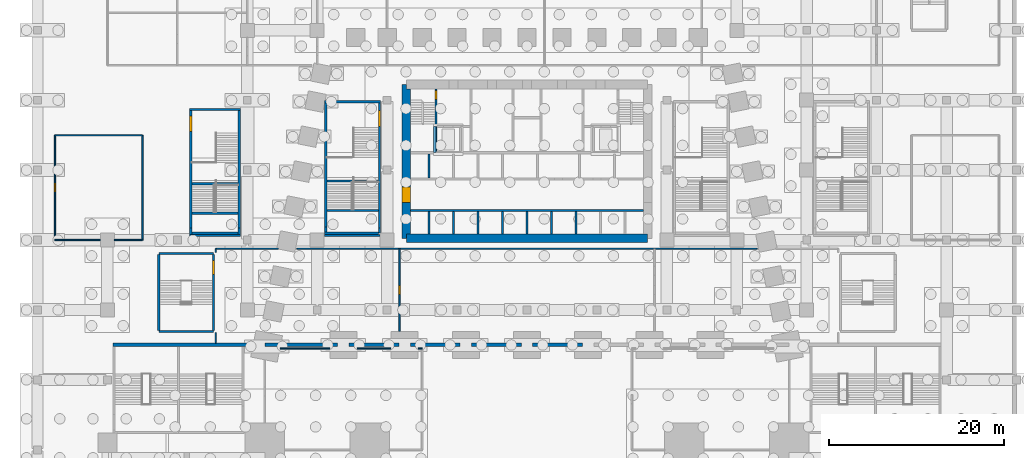
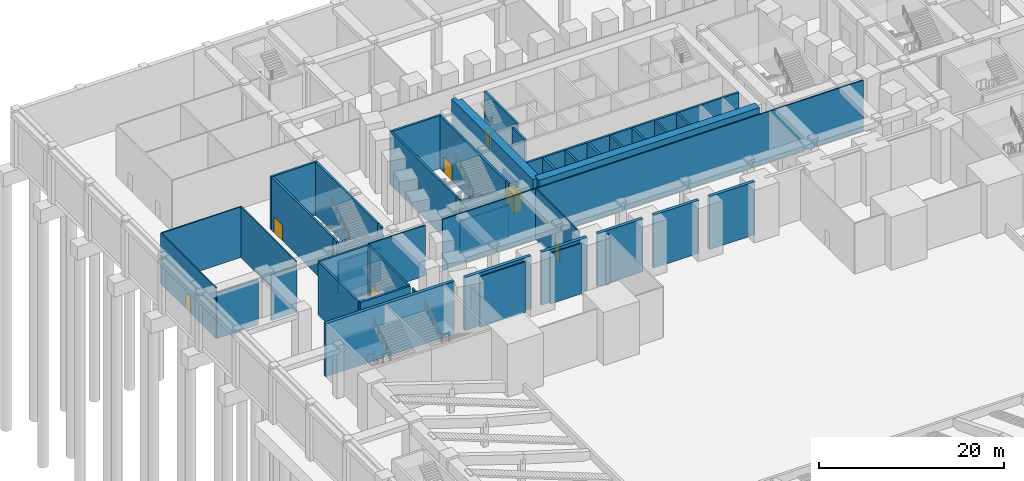
# One storey, part 10 of 30: 54 walls, 7 doors, 7 openings.
"""IFC4 building model written with IfcOpenShell, lengths in metres."""

from ifc_helpers import new_model, si_unit, direction, frame, frame_2d, origin, place, context, subcontext, project, spatial, polyline, rectangle, outline, extrude, material, layer, layer_set, type_object, element, fill, save


model = new_model("IFC4")

# Units and contexts
model_context = context("Model", 3, precision=1e-05, world=origin(), true_north=direction((0.0, 1.0)))
body_context = subcontext(model_context, "Body", "Model", "MODEL_VIEW")
ifc_project = project(units=[si_unit("LENGTHUNIT", "METRE"), si_unit("AREAUNIT", "SQUARE_METRE"), si_unit("VOLUMEUNIT", "CUBIC_METRE"), si_unit("PLANEANGLEUNIT", "RADIAN"), si_unit("MASSUNIT", "GRAM", prefix="KILO")], contexts=[model_context])

# Site, building, storey
site_placement = place(None, origin())
site = spatial("IfcSite", under=ifc_project, at=site_placement, CompositionType="ELEMENT")
building_placement = place(site_placement, origin())
building = spatial("IfcBuilding", under=site, at=building_placement, Name="Isbrekke Arena Tower", CompositionType="ELEMENT")
storey_placement = place(building_placement, frame((0.0, 0.0, -7.0)))
storey = spatial("IfcBuildingStorey", under=building, at=storey_placement, Name="B1", CompositionType="ELEMENT", Elevation=-7.0)

# Walls
ifc_material_1 = material(Name="Concrete B45 (C45/55)", Category="concrete")
ifc_layer_1 = layer(ifc_material_1, 0.39990234375)
ifc_layer_set_1 = layer_set([ifc_layer_1], Name="AW1 ARENA WALL 400")
wall_type_1 = type_object("IfcWallType", Name="AW1 ARENA WALL 400", PredefinedType="SHEAR", material=ifc_layer_set_1)
wall_1_placement = place(storey_placement, frame((-47.375, -6.0, 0.0), z_axis=(0.0, 0.0, 1.0), x_axis=(1.0, 0.0, 0.0)))
element("IfcWall", 1, at=wall_1_placement, inside=storey, type_object=wall_type_1, Name="Arena north wall 1", PredefinedType="SHEAR", context=body_context, shape_type="SweptSolid", body=[
    extrude(rectangle(XDim=16.125, YDim=0.39990234375, at=frame_2d((8.0625, 0.0))), origin(), (0.0, 0.0, 1.0), 7.0),
])
wall_2_placement = place(storey_placement, frame((-29.949951171875, -6.0, 0.0), z_axis=(0.0, 0.0, 1.0), x_axis=(1.0, 0.0, 0.0)))
element("IfcWall", 2, at=wall_2_placement, inside=storey, type_object=wall_type_1, Name="Arena north wall 2", PredefinedType="SHEAR", context=body_context, shape_type="SweptSolid", body=[
    extrude(rectangle(XDim=8.300048828125, YDim=0.39990234375, at=frame_2d((4.14990234375, 0.0))), origin(), (0.0, 0.0, 1.0), 7.0),
])
for number, where, z_axis, x_axis, name in (
    (3, (-20.35009765625, -6.0, 0.0), (0.0, 0.0, 1.0), (1.0, 0.0, 0.0), "Arena north wall 3"),
    (4, (-13.35009765625, -6.0, 0.0), (0.0, 0.0, 1.0), (1.0, 0.0, 0.0), "Arena north wall 4"),
    (5, (-6.35009765625, -6.0, 0.0), (0.0, 0.0, 1.0), (1.0, 0.0, 0.0), "Arena north wall 5"),
    (6, (0.64990234375, -6.0, 0.0), (0.0, 0.0, 1.0), (1.0, 0.0, 0.0), "Arena north wall 6"),
):
    element("IfcWall", number, at=place(storey_placement, frame(where, z_axis=z_axis, x_axis=x_axis)), inside=storey, type_object=wall_type_1, Name=name, PredefinedType="SHEAR", context=body_context, shape_type="SweptSolid", body=[
        extrude(rectangle(XDim=5.7001953125, YDim=0.39990234375, at=frame_2d((2.85009765625, 0.0))), origin(), (0.0, 0.0, 1.0), 7.0),
    ])
ifc_material_2 = material(Name="Concrete B65 (C65/80)", Category="concrete")
ifc_layer_2 = layer(ifc_material_2, 1.0)
ifc_layer_set_2 = layer_set([ifc_layer_2], Name="CW1 CORE WALL 1000")
wall_type_2 = type_object("IfcWallType", Name="CW1 CORE WALL 1000", PredefinedType="SHEAR", material=ifc_layer_set_2)
wall_3_placement = place(storey_placement, frame((-13.800048828125, 6.199951171875, 0.0), z_axis=(0.0, 0.0, 1.0), x_axis=(1.0, 0.0, 0.0)))
element("IfcWall", 7, at=wall_3_placement, inside=storey, type_object=wall_type_2, Name="Core wall S B1", PredefinedType="SHEAR", context=body_context, shape_type="SweptSolid", body=[
    extrude(rectangle(XDim=27.60009765625, YDim=1.0, at=frame_2d((13.800048828125, 0.0))), origin(), (0.0, 0.0, 1.0), 7.0),
])

# Wall, opening, door
wall_4_placement = place(storey_placement, frame((-13.800048828125, 23.800048828125, 0.0), z_axis=(0.0, 0.0, 1.0), x_axis=(0.0, -1.0, 0.0)))
wall_4 = element("IfcWall", 8, at=wall_4_placement, inside=storey, type_object=wall_type_2, Name="Core wall W B1", PredefinedType="SHEAR", context=body_context, shape_type="SweptSolid", body=[
    extrude(outline(polyline([(0.0, -0.5), (17.60009765625, -0.5), (17.60009765625, 0.0), (17.10009765625, 0.0), (17.10009765625, 0.5), (0.5, 0.5), (0.5, 0.0), (0.0, 0.0), (0.0, -0.5)])), origin(), (0.0, 0.0, 1.0), 7.0),
])
opening_1_placement = place(wall_4_placement, frame((11.699951171875, 0.0, 0.0)))
opening_1 = element("IfcOpeningElement", 9, at=opening_1_placement, cuts=wall_4, Name="Opening D1", PredefinedType="OPENING", context=body_context, shape_type="SweptSolid", body=[
    extrude(rectangle(XDim=1.800048828125, YDim=2.39990234375, at=frame_2d((0.89990234375, 1.199951171875))), frame((0.0, 0.514892578125, 0.0), z_axis=(0.0, -1.0, 0.0), x_axis=(1.0, 0.0, 0.0)), (0.0, 0.0, 1.0), 1.02978515625),
])
ifc_material_3 = material(Name="Steel-framed glazed fire door", Category="steel")
door_type_1 = type_object("IfcDoorType", Name="D1 CORE LOBBY DOOR 1800 x 2400", OperationType="DOUBLE_DOOR_SINGLE_SWING", PredefinedType="DOOR", material=ifc_material_3)
door_1_placement = place(opening_1_placement, origin())
door_1 = element("IfcDoor", 10, at=door_1_placement, inside=storey, type_object=door_type_1, Name="D1 lift lobby door west B1", OperationType="DOUBLE_DOOR_SINGLE_SWING", OverallHeight=2.39990234375, OverallWidth=1.800048828125, PredefinedType="DOOR", context=body_context, shape_type="SweptSolid", body=[
    extrude(rectangle(XDim=1.800048828125, YDim=2.39990234375, at=frame_2d((0.89990234375, 1.199951171875))), frame((0.0, 0.499755859375, 0.0), z_axis=(0.0, -1.0, 0.0), x_axis=(1.0, 0.0, 0.0)), (0.0, 0.0, 1.0), 0.99951171875),
])
fill(opening_1, door_1)

# Walls
ifc_material_4 = material(Name="Concrete B45 (C45/55)", Category="concrete")
ifc_layer_3 = layer(ifc_material_4, 0.25)
ifc_layer_set_3 = layer_set([ifc_layer_3], Name="CW6 SHAFT WALL 250")
wall_type_3 = type_object("IfcWallType", Name="CW6 SHAFT WALL 250", PredefinedType="SHEAR", material=ifc_layer_set_3)
wall_5_placement = place(storey_placement, frame((-13.300048828125, 9.39990234375, 0.0), z_axis=(0.0, 0.0, 1.0), x_axis=(1.0, 0.0, 0.0)))
element("IfcWall", 11, at=wall_5_placement, inside=storey, type_object=wall_type_3, Name="Core wall LS B1", PredefinedType="SHEAR", context=body_context, shape_type="SweptSolid", body=[
    extrude(rectangle(XDim=26.60009765625, YDim=0.25, at=frame_2d((13.300048828125, 0.0))), origin(), (0.0, 0.0, 1.0), 7.0),
])
for number, where, z_axis, x_axis, name in (
    (12, (-11.199951171875, 6.699951171875, 0.0), (0.0, 0.0, 1.0), (0.0, 1.0, 0.0), "Core wall SS01 B1"),
    (13, (-8.39990234375, 6.699951171875, 0.0), (0.0, 0.0, 1.0), (0.0, 1.0, 0.0), "Core wall SS02 B1"),
    (14, (-5.60009765625, 6.699951171875, 0.0), (0.0, 0.0, 1.0), (0.0, 1.0, 0.0), "Core wall SS03 B1"),
    (15, (-2.800048828125, 6.699951171875, 0.0), (0.0, 0.0, 1.0), (0.0, 1.0, 0.0), "Core wall SS04 B1"),
    (16, (0.0, 6.699951171875, 0.0), (0.0, 0.0, 1.0), (0.0, 1.0, 0.0), "Core wall SS05 B1"),
    (17, (2.800048828125, 6.699951171875, 0.0), (0.0, 0.0, 1.0), (0.0, 1.0, 0.0), "Core wall SS06 B1"),
    (18, (5.60009765625, 6.699951171875, 0.0), (0.0, 0.0, 1.0), (0.0, 1.0, 0.0), "Core wall SS07 B1"),
):
    element("IfcWall", number, at=place(storey_placement, frame(where, z_axis=z_axis, x_axis=x_axis)), inside=storey, type_object=wall_type_3, Name=name, PredefinedType="SHEAR", context=body_context, shape_type="SweptSolid", body=[
        extrude(rectangle(XDim=2.574951171875, YDim=0.25, at=frame_2d((1.28759765625, 0.0))), origin(), (0.0, 0.0, 1.0), 7.0),
    ])
wall_6_placement = place(storey_placement, frame((-11.199951171875, 13.125, 0.0), z_axis=(0.0, 0.0, 1.0), x_axis=(0.0, 1.0, 0.0)))
element("IfcWall", 19, at=wall_6_placement, inside=storey, type_object=wall_type_3, Name="Core wall SN01 B1", PredefinedType="SHEAR", context=body_context, shape_type="SweptSolid", body=[
    extrude(rectangle(XDim=2.75, YDim=0.25, at=frame_2d((1.375, 0.0))), origin(), (0.0, 0.0, 1.0), 7.0),
])

# Wall, opening, door
wall_7_placement = place(storey_placement, frame((-10.39990234375, 16.125, 0.0), z_axis=(0.0, 0.0, 1.0), x_axis=(0.0, 1.0, 0.0)))
wall_7 = element("IfcWall", 20, at=wall_7_placement, inside=storey, type_object=wall_type_3, Name="Core wall NV01 B1", PredefinedType="SHEAR", context=body_context, shape_type="SweptSolid", body=[
    extrude(rectangle(XDim=7.175048828125, YDim=0.25, at=frame_2d((3.58740234375, 0.0))), origin(), (0.0, 0.0, 1.0), 7.0),
])
opening_2_placement = place(wall_7_placement, frame((5.97509765625, 0.0, 0.0)))
opening_2 = element("IfcOpeningElement", 21, at=opening_2_placement, cuts=wall_7, Name="Opening D2", PredefinedType="OPENING", context=body_context, shape_type="SweptSolid", body=[
    extrude(rectangle(XDim=1.0, YDim=2.10009765625, at=frame_2d((0.5, 1.050048828125))), frame((0.0, 0.139892578125, 0.0), z_axis=(0.0, -1.0, 0.0), x_axis=(1.0, 0.0, 0.0)), (0.0, 0.0, 1.0), 0.27978515625),
])
ifc_material_5 = material(Name="Steel fire door", Category="steel")
door_type_2 = type_object("IfcDoorType", Name="D2 STAIR DOOR 1000 x 2100", OperationType="SINGLE_SWING_LEFT", PredefinedType="DOOR", material=ifc_material_5)
door_2_placement = place(opening_2_placement, origin())
door_2 = element("IfcDoor", 22, at=door_2_placement, inside=storey, type_object=door_type_2, Name="D2 stair door ST1 B1", OperationType="SINGLE_SWING_LEFT", OverallHeight=2.10009765625, OverallWidth=1.0, PredefinedType="DOOR", context=body_context, shape_type="SweptSolid", body=[
    extrude(rectangle(XDim=1.0, YDim=2.10009765625, at=frame_2d((0.5, 1.050048828125))), frame((0.0, 0.124755859375, 0.0), z_axis=(0.0, -1.0, 0.0), x_axis=(1.0, 0.0, 0.0)), (0.0, 0.0, 1.0), 0.24951171875),
])
fill(opening_2, door_2)

ifc_material_6 = material(Name="Gypsum board partition on steel studs", Category="steel")
ifc_layer_4 = layer(ifc_material_6, 0.14990234375)
ifc_layer_set_4 = layer_set([ifc_layer_4], Name="IW1 PARTITION 150")
wall_type_4 = type_object("IfcWallType", Name="IW1 PARTITION 150", PredefinedType="PARTITIONING", material=ifc_layer_set_4)
wall_8_placement = place(storey_placement, frame((-54.0, 6.0, 0.0), z_axis=(0.0, 0.0, 1.0), x_axis=(0.0, 1.0, 0.0)))
wall_8 = element("IfcWall", 23, at=wall_8_placement, inside=storey, type_object=wall_type_4, Name="IW1 partition B1", PredefinedType="PARTITIONING", context=body_context, shape_type="SweptSolid", body=[
    extrude(rectangle(XDim=12.0, YDim=0.14990234375, at=frame_2d((6.0, 0.0))), origin(), (0.0, 0.0, 1.0), 6.699951171875),
])
opening_3_placement = place(wall_8_placement, frame((5.5, 0.0, 0.0)))
opening_3 = element("IfcOpeningElement", 24, at=opening_3_placement, cuts=wall_8, Name="Opening D6", PredefinedType="OPENING", context=body_context, shape_type="SweptSolid", body=[
    extrude(rectangle(XDim=1.0, YDim=2.10009765625, at=frame_2d((0.5, 1.050048828125))), frame((0.0, 0.08984375, 0.0), z_axis=(0.0, -1.0, 0.0), x_axis=(1.0, 0.0, 0.0)), (0.0, 0.0, 1.0), 0.1796875),
])
ifc_material_7 = material(Name="Timber door", Category="wood")
door_type_3 = type_object("IfcDoorType", Name="D6 ROOM DOOR 1000 x 2100", OperationType="SINGLE_SWING_LEFT", PredefinedType="DOOR", material=ifc_material_7)
door_3_placement = place(opening_3_placement, origin())
door_3 = element("IfcDoor", 25, at=door_3_placement, inside=storey, type_object=door_type_3, Name="D6 door B1-10", OperationType="SINGLE_SWING_LEFT", OverallHeight=2.10009765625, OverallWidth=1.0, PredefinedType="DOOR", context=body_context, shape_type="SweptSolid", body=[
    extrude(rectangle(XDim=1.0, YDim=2.10009765625, at=frame_2d((0.5, 1.050048828125))), frame((0.0, 0.07470703125, 0.0), z_axis=(0.0, -1.0, 0.0), x_axis=(1.0, 0.0, 0.0)), (0.0, 0.0, 1.0), 0.1494140625),
])
fill(opening_3, door_3)

# Walls
wall_9_placement = place(storey_placement, frame((-44.0, 6.0, 0.0), z_axis=(0.0, 0.0, 1.0), x_axis=(0.0, 1.0, 0.0)))
element("IfcWall", 26, at=wall_9_placement, inside=storey, type_object=wall_type_4, Name="IW1 partition B1", PredefinedType="PARTITIONING", context=body_context, shape_type="SweptSolid", body=[
    extrude(rectangle(XDim=12.0, YDim=0.14990234375, at=frame_2d((6.0, 0.0))), origin(), (0.0, 0.0, 1.0), 6.699951171875),
])
wall_10_placement = place(storey_placement, frame((-35.60009765625, -5.800048828125, 0.0), z_axis=(0.0, 0.0, 1.0), x_axis=(0.0, 1.0, 0.0)))
element("IfcWall", 27, at=wall_10_placement, inside=storey, type_object=wall_type_4, Name="IW1 partition B1", PredefinedType="PARTITIONING", context=body_context, shape_type="SweptSolid", body=[
    extrude(rectangle(XDim=1.199951171875, YDim=0.14990234375, at=frame_2d((0.60009765625, 0.0))), origin(), (0.0, 0.0, 1.0), 6.699951171875),
])
wall_11_placement = place(storey_placement, frame((-35.60009765625, 4.60009765625, 0.0), z_axis=(0.0, 0.0, 1.0), x_axis=(0.0, 1.0, 0.0)))
element("IfcWall", 28, at=wall_11_placement, inside=storey, type_object=wall_type_4, Name="IW1 partition B1", PredefinedType="PARTITIONING", context=body_context, shape_type="SweptSolid", body=[
    extrude(rectangle(XDim=0.39990234375, YDim=0.14990234375, at=frame_2d((0.199951171875, 0.0))), origin(), (0.0, 0.0, 1.0), 6.699951171875),
])

# Wall, opening, door
wall_12_placement = place(storey_placement, frame((-14.60009765625, -4.43994140625, 0.0), z_axis=(0.0, 0.0, 1.0), x_axis=(0.0, 1.0, 0.0)))
wall_12 = element("IfcWall", 29, at=wall_12_placement, inside=storey, type_object=wall_type_4, Name="IW1 partition B1", PredefinedType="PARTITIONING", context=body_context, shape_type="SweptSolid", body=[
    extrude(rectangle(XDim=9.43994140625, YDim=0.14990234375, at=frame_2d((4.719970703125, 0.0))), origin(), (0.0, 0.0, 1.0), 6.699951171875),
])
opening_4_placement = place(wall_12_placement, frame((4.219970703125, 0.0, 0.0)))
opening_4 = element("IfcOpeningElement", 30, at=opening_4_placement, cuts=wall_12, Name="Opening D6", PredefinedType="OPENING", context=body_context, shape_type="SweptSolid", body=[
    extrude(rectangle(XDim=1.0, YDim=2.10009765625, at=frame_2d((0.5, 1.050048828125))), frame((0.0, 0.08984375, 0.0), z_axis=(0.0, -1.0, 0.0), x_axis=(1.0, 0.0, 0.0)), (0.0, 0.0, 1.0), 0.1796875),
])
door_4_placement = place(opening_4_placement, origin())
door_4 = element("IfcDoor", 31, at=door_4_placement, inside=storey, type_object=door_type_3, Name="D6 door B1-19", OperationType="SINGLE_SWING_LEFT", OverallHeight=2.10009765625, OverallWidth=1.0, PredefinedType="DOOR", context=body_context, shape_type="SweptSolid", body=[
    extrude(rectangle(XDim=1.0, YDim=2.10009765625, at=frame_2d((0.5, 1.050048828125))), frame((0.0, 0.07470703125, 0.0), z_axis=(0.0, -1.0, 0.0), x_axis=(1.0, 0.0, 0.0)), (0.0, 0.0, 1.0), 0.1494140625),
])
fill(opening_4, door_4)

# Walls
wall_13_placement = place(storey_placement, frame((-28.23095703125, -6.39990234375, 0.0), z_axis=(0.0, 0.0, 1.0), x_axis=(1.0, 0.0, 0.0)))
element("IfcWall", 32, at=wall_13_placement, inside=storey, type_object=wall_type_4, Name="IW1 partition B1", PredefinedType="PARTITIONING", context=body_context, shape_type="SweptSolid", body=[
    extrude(rectangle(XDim=5.6708984375, YDim=0.14990234375, at=frame_2d((2.83544921875, 0.0))), origin(), (0.0, 0.0, 1.0), 6.699951171875),
])
wall_14_placement = place(storey_placement, frame((-19.43994140625, -6.39990234375, 0.0), z_axis=(0.0, 0.0, 1.0), x_axis=(1.0, 0.0, 0.0)))
element("IfcWall", 33, at=wall_14_placement, inside=storey, type_object=wall_type_4, Name="IW1 partition B1", PredefinedType="PARTITIONING", context=body_context, shape_type="SweptSolid", body=[
    extrude(rectangle(XDim=3.8798828125, YDim=0.14990234375, at=frame_2d((1.93994140625, 0.0))), origin(), (0.0, 0.0, 1.0), 6.699951171875),
])
wall_15_placement = place(storey_placement, frame((-12.43994140625, -6.39990234375, 0.0), z_axis=(0.0, 0.0, 1.0), x_axis=(1.0, 0.0, 0.0)))
element("IfcWall", 34, at=wall_15_placement, inside=storey, type_object=wall_type_4, Name="IW1 partition B1", PredefinedType="PARTITIONING", context=body_context, shape_type="SweptSolid", body=[
    extrude(rectangle(XDim=0.43994140625, YDim=0.14990234375, at=frame_2d((0.219970703125, 0.0))), origin(), (0.0, 0.0, 1.0), 6.699951171875),
])
wall_16_placement = place(storey_placement, frame((-35.60009765625, 5.0, 0.0), z_axis=(0.0, 0.0, 1.0), x_axis=(1.0, 0.0, 0.0)))
element("IfcWall", 35, at=wall_16_placement, inside=storey, type_object=wall_type_4, Name="IW1 partition B1", PredefinedType="PARTITIONING", context=body_context, shape_type="SweptSolid", body=[
    extrude(rectangle(XDim=7.149169921875, YDim=0.14990234375, at=frame_2d((3.57470703125, 0.0))), origin(), (0.0, 0.0, 1.0), 6.699951171875),
])
wall_17_placement = place(storey_placement, frame((-26.3310546875, 5.0, 0.0), z_axis=(0.0, 0.0, 1.0), x_axis=(1.0, 0.0, 0.0)))
element("IfcWall", 36, at=wall_17_placement, inside=storey, type_object=wall_type_4, Name="IW1 partition B1", PredefinedType="PARTITIONING", context=body_context, shape_type="SweptSolid", body=[
    extrude(rectangle(XDim=52.662109375, YDim=0.14990234375, at=frame_2d((26.3310546875, 0.0))), origin(), (0.0, 0.0, 1.0), 6.699951171875),
])
wall_18_placement = place(storey_placement, frame((-54.0, 6.0, 0.0), z_axis=(0.0, 0.0, 1.0), x_axis=(1.0, 0.0, 0.0)))
element("IfcWall", 37, at=wall_18_placement, inside=storey, type_object=wall_type_4, Name="IW1 partition B1", PredefinedType="PARTITIONING", context=body_context, shape_type="SweptSolid", body=[
    extrude(rectangle(XDim=5.18994140625, YDim=0.14990234375, at=frame_2d((2.594970703125, 0.0))), origin(), (0.0, 0.0, 1.0), 6.050048828125),
])
wall_19_placement = place(storey_placement, frame((-47.18994140625, 6.0, 0.0), z_axis=(0.0, 0.0, 1.0), x_axis=(1.0, 0.0, 0.0)))
element("IfcWall", 38, at=wall_19_placement, inside=storey, type_object=wall_type_4, Name="IW1 partition B1", PredefinedType="PARTITIONING", context=body_context, shape_type="SweptSolid", body=[
    extrude(rectangle(XDim=3.18994140625, YDim=0.14990234375, at=frame_2d((1.594970703125, 0.0))), origin(), (0.0, 0.0, 1.0), 6.050048828125),
])
wall_20_placement = place(storey_placement, frame((-54.0, 18.0, 0.0), z_axis=(0.0, 0.0, 1.0), x_axis=(1.0, 0.0, 0.0)))
element("IfcWall", 39, at=wall_20_placement, inside=storey, type_object=wall_type_4, Name="IW1 partition B1", PredefinedType="PARTITIONING", context=body_context, shape_type="SweptSolid", body=[
    extrude(rectangle(XDim=10.0, YDim=0.14990234375, at=frame_2d((5.0, 0.0))), origin(), (0.0, 0.0, 1.0), 6.699951171875),
])
ifc_material_8 = material(Name="Concrete B45 (C45/55)", Category="concrete")
ifc_layer_5 = layer(ifc_material_8, 0.300048828125)
ifc_layer_set_5 = layer_set([ifc_layer_5], Name="PW2 LIFT PIT WALL 300")
wall_type_5 = type_object("IfcWallType", Name="PW2 LIFT PIT WALL 300", PredefinedType="SHEAR", material=ifc_layer_set_5)
wall_21_placement = place(storey_placement, frame((-10.550048828125, 16.0, -1.39990234375), z_axis=(0.0, 0.0, 1.0), x_axis=(0.0, 1.0, 0.0)))
element("IfcWall", 40, at=wall_21_placement, inside=storey, type_object=wall_type_5, Name="PW2 lift pit wall F2 W", PredefinedType="SHEAR", context=body_context, shape_type="SweptSolid", body=[
    extrude(rectangle(XDim=3.0, YDim=0.300048828125, at=frame_2d((1.5, 0.0))), origin(), (0.0, 0.0, 1.0), 0.7998046875),
])
ifc_material_9 = material(Name="Concrete B45 (C45/55)", Category="concrete")
ifc_layer_6 = layer(ifc_material_9, 0.25)
ifc_layer_set_6 = layer_set([ifc_layer_6], Name="SW1 STAIR ENCLOSURE WALL 250")
wall_type_6 = type_object("IfcWallType", Name="SW1 STAIR ENCLOSURE WALL 250", PredefinedType="SOLIDWALL", material=ifc_layer_set_6)
for number, where, z_axis, x_axis, name in (
    (41, (-42.125, -4.47509765625, 0.0), (0.0, 0.0, 1.0), (1.0, 0.0, 0.0), "SW1 stair wall V2 S B1"),
    (42, (-35.875, 4.47509765625, 0.0), (0.0, 0.0, 1.0), (-1.0, 0.0, 0.0), "SW1 stair wall V2 N B1"),
):
    element("IfcWall", number, at=place(storey_placement, frame(where, z_axis=z_axis, x_axis=x_axis)), inside=storey, type_object=wall_type_6, Name=name, PredefinedType="SOLIDWALL", context=body_context, shape_type="SweptSolid", body=[
        extrude(rectangle(XDim=6.25, YDim=0.25, at=frame_2d((3.125, 0.0))), origin(), (0.0, 0.0, 1.0), 7.0),
    ])

# Wall, opening, door
wall_22_placement = place(storey_placement, frame((-35.875, -4.35009765625, 0.0), z_axis=(0.0, 0.0, 1.0), x_axis=(0.0, 1.0, 0.0)))
wall_22 = element("IfcWall", 43, at=wall_22_placement, inside=storey, type_object=wall_type_6, Name="SW1 stair wall V2 E B1", PredefinedType="SOLIDWALL", context=body_context, shape_type="SweptSolid", body=[
    extrude(rectangle(XDim=8.7001953125, YDim=0.25, at=frame_2d((4.35009765625, 0.0))), origin(), (0.0, 0.0, 1.0), 7.0),
])
opening_5_placement = place(wall_22_placement, frame((6.39990234375, 0.0, 0.0)))
opening_5 = element("IfcOpeningElement", 44, at=opening_5_placement, cuts=wall_22, Name="Opening D7", PredefinedType="OPENING", context=body_context, shape_type="SweptSolid", body=[
    extrude(rectangle(XDim=1.60009765625, YDim=2.10009765625, at=frame_2d((0.800048828125, 1.050048828125))), frame((0.0, 0.139892578125, 0.0), z_axis=(0.0, -1.0, 0.0), x_axis=(1.0, 0.0, 0.0)), (0.0, 0.0, 1.0), 0.27978515625),
])
ifc_material_10 = material(Name="Steel fire door", Category="steel")
door_type_4 = type_object("IfcDoorType", Name="D7 PODIUM STAIR DOOR 1600 x 2100", OperationType="DOUBLE_DOOR_SINGLE_SWING", PredefinedType="DOOR", material=ifc_material_10)
door_5_placement = place(opening_5_placement, origin())
door_5 = element("IfcDoor", 45, at=door_5_placement, inside=storey, type_object=door_type_4, Name="D7 stair door V2 B1", OperationType="DOUBLE_DOOR_SINGLE_SWING", OverallHeight=2.10009765625, OverallWidth=1.60009765625, PredefinedType="DOOR", context=body_context, shape_type="SweptSolid", body=[
    extrude(rectangle(XDim=1.60009765625, YDim=2.10009765625, at=frame_2d((0.800048828125, 1.050048828125))), frame((0.0, 0.124755859375, 0.0), z_axis=(0.0, -1.0, 0.0), x_axis=(1.0, 0.0, 0.0)), (0.0, 0.0, 1.0), 0.24951171875),
])
fill(opening_5, door_5)

# Walls
wall_23_placement = place(storey_placement, frame((-42.125, 4.35009765625, 0.0), z_axis=(0.0, 0.0, 1.0), x_axis=(0.0, -1.0, 0.0)))
element("IfcWall", 46, at=wall_23_placement, inside=storey, type_object=wall_type_6, Name="SW1 stair wall V2 W B1", PredefinedType="SOLIDWALL", context=body_context, shape_type="SweptSolid", body=[
    extrude(rectangle(XDim=8.7001953125, YDim=0.25, at=frame_2d((4.35009765625, 0.0))), origin(), (0.0, 0.0, 1.0), 7.0),
])
wall_24_placement = place(storey_placement, frame((-23.02490234375, 21.699951171875, 0.0), z_axis=(0.0, 0.0, 1.0), x_axis=(0.0, -1.0, 0.0)))
element("IfcWall", 47, at=wall_24_placement, inside=storey, type_object=wall_type_6, Name="SW1 stair wall X6 W B1", PredefinedType="SOLIDWALL", context=body_context, shape_type="SweptSolid", body=[
    extrude(rectangle(XDim=14.199951171875, YDim=0.25, at=frame_2d((7.10009765625, 0.0))), origin(), (0.0, 0.0, 1.0), 7.0),
])

# Wall, opening, door
wall_25_placement = place(storey_placement, frame((-16.875, 7.39990234375, 0.0), z_axis=(0.0, 0.0, 1.0), x_axis=(0.0, 1.0, 0.0)))
wall_25 = element("IfcWall", 48, at=wall_25_placement, inside=storey, type_object=wall_type_6, Name="SW1 stair wall X6 E B1", PredefinedType="SOLIDWALL", context=body_context, shape_type="SweptSolid", body=[
    extrude(rectangle(XDim=14.300048828125, YDim=0.25, at=frame_2d((7.14990234375, 0.0))), origin(), (0.0, 0.0, 1.0), 7.0),
])
opening_6_placement = place(wall_25_placement, frame((11.60009765625, 0.0, 0.0)))
opening_6 = element("IfcOpeningElement", 49, at=opening_6_placement, cuts=wall_25, Name="Opening D9", PredefinedType="OPENING", context=body_context, shape_type="SweptSolid", body=[
    extrude(rectangle(XDim=1.800048828125, YDim=2.10009765625, at=frame_2d((0.89990234375, 1.050048828125))), frame((0.0, 0.139892578125, 0.0), z_axis=(0.0, -1.0, 0.0), x_axis=(1.0, 0.0, 0.0)), (0.0, 0.0, 1.0), 0.27978515625),
])
ifc_material_11 = material(Name="Steel fire door", Category="steel")
door_type_5 = type_object("IfcDoorType", Name="D9 EXIT STAIR DOOR 1800 x 2100", OperationType="DOUBLE_DOOR_SINGLE_SWING", PredefinedType="DOOR", material=ifc_material_11)
door_6_placement = place(opening_6_placement, origin())
door_6 = element("IfcDoor", 50, at=door_6_placement, inside=storey, type_object=door_type_5, Name="D9 exit stair door X6 B1", OperationType="DOUBLE_DOOR_SINGLE_SWING", OverallHeight=2.10009765625, OverallWidth=1.800048828125, PredefinedType="DOOR", context=body_context, shape_type="SweptSolid", body=[
    extrude(rectangle(XDim=1.800048828125, YDim=2.10009765625, at=frame_2d((0.89990234375, 1.050048828125))), frame((0.0, 0.124755859375, 0.0), z_axis=(0.0, -1.0, 0.0), x_axis=(1.0, 0.0, 0.0)), (0.0, 0.0, 1.0), 0.24951171875),
])
fill(opening_6, door_6)

# Walls
wall_26_placement = place(storey_placement, frame((-22.89990234375, 12.7451171875, 0.0), z_axis=(0.0, 0.0, 1.0), x_axis=(1.0, 0.0, 0.0)))
element("IfcWall", 51, at=wall_26_placement, inside=storey, type_object=wall_type_6, Name="SW1 stair wall X6 landing support B1", PredefinedType="SOLIDWALL", context=body_context, shape_type="SweptSolid", body=[
    extrude(rectangle(XDim=5.89990234375, YDim=0.25, at=frame_2d((2.949951171875, 0.0))), origin(), (0.0, 0.0, 1.0), 2.13330078125),
])
wall_27_placement = place(storey_placement, frame((-23.14990234375, 6.77490234375, 0.0), z_axis=(0.0, 0.0, 1.0), x_axis=(1.0, 0.0, 0.0)))
element("IfcWall", 52, at=wall_27_placement, inside=storey, type_object=wall_type_6, Name="SW1 stair wall X6 landing support B1", PredefinedType="SOLIDWALL", context=body_context, shape_type="SweptSolid", body=[
    extrude(rectangle(XDim=6.14990234375, YDim=0.25, at=frame_2d((3.074951171875, 0.0))), origin(), (0.0, 0.0, 1.0), 4.300048828125),
])
wall_28_placement = place(storey_placement, frame((-22.89990234375, 9.375, 0.0), z_axis=(0.0, 0.0, 1.0), x_axis=(1.0, 0.0, 0.0)))
element("IfcWall", 53, at=wall_28_placement, inside=storey, type_object=wall_type_6, Name="SW1 stair wall X6 landing support B1", PredefinedType="SOLIDWALL", context=body_context, shape_type="SweptSolid", body=[
    extrude(rectangle(XDim=5.89990234375, YDim=0.25, at=frame_2d((2.949951171875, 0.0))), origin(), (0.0, 0.0, 1.0), 4.300048828125),
])

# Wall, opening, door
wall_29_placement = place(storey_placement, frame((-38.47509765625, 20.800048828125, 0.0), z_axis=(0.0, 0.0, 1.0), x_axis=(0.0, -1.0, 0.0)))
wall_29 = element("IfcWall", 54, at=wall_29_placement, inside=storey, type_object=wall_type_6, Name="SW1 stair wall X8 W B1", PredefinedType="SOLIDWALL", context=body_context, shape_type="SweptSolid", body=[
    extrude(rectangle(XDim=13.400146484375, YDim=0.25, at=frame_2d((6.7001953125, 0.0))), origin(), (0.0, 0.0, 1.0), 7.0),
])
opening_7_placement = place(wall_29_placement, frame((0.60009765625, 0.0, 0.0)))
opening_7 = element("IfcOpeningElement", 55, at=opening_7_placement, cuts=wall_29, Name="Opening D9", PredefinedType="OPENING", context=body_context, shape_type="SweptSolid", body=[
    extrude(rectangle(XDim=1.800048828125, YDim=2.10009765625, at=frame_2d((0.89990234375, 1.050048828125))), frame((0.0, 0.139892578125, 0.0), z_axis=(0.0, -1.0, 0.0), x_axis=(1.0, 0.0, 0.0)), (0.0, 0.0, 1.0), 0.27978515625),
])
door_7_placement = place(opening_7_placement, origin())
door_7 = element("IfcDoor", 56, at=door_7_placement, inside=storey, type_object=door_type_5, Name="D9 exit stair door X8 B1", OperationType="DOUBLE_DOOR_SINGLE_SWING", OverallHeight=2.10009765625, OverallWidth=1.800048828125, PredefinedType="DOOR", context=body_context, shape_type="SweptSolid", body=[
    extrude(rectangle(XDim=1.800048828125, YDim=2.10009765625, at=frame_2d((0.89990234375, 1.050048828125))), frame((0.0, 0.124755859375, 0.0), z_axis=(0.0, -1.0, 0.0), x_axis=(1.0, 0.0, 0.0)), (0.0, 0.0, 1.0), 0.24951171875),
])
fill(opening_7, door_7)

# Walls
wall_30_placement = place(storey_placement, frame((-32.925048828125, 7.39990234375, 0.0), z_axis=(0.0, 0.0, 1.0), x_axis=(0.0, 1.0, 0.0)))
element("IfcWall", 57, at=wall_30_placement, inside=storey, type_object=wall_type_6, Name="SW1 stair wall X8 E B1", PredefinedType="SOLIDWALL", context=body_context, shape_type="SweptSolid", body=[
    extrude(rectangle(XDim=13.400146484375, YDim=0.25, at=frame_2d((6.7001953125, 0.0))), origin(), (0.0, 0.0, 1.0), 7.0),
])
wall_31_placement = place(storey_placement, frame((-38.35009765625, 12.445068359375, 0.0), z_axis=(0.0, 0.0, 1.0), x_axis=(1.0, 0.0, 0.0)))
element("IfcWall", 58, at=wall_31_placement, inside=storey, type_object=wall_type_6, Name="SW1 stair wall X8 landing support B1", PredefinedType="SOLIDWALL", context=body_context, shape_type="SweptSolid", body=[
    extrude(rectangle(XDim=5.300048828125, YDim=0.25, at=frame_2d((2.64990234375, 0.0))), origin(), (0.0, 0.0, 1.0), 2.13330078125),
])
for number, where, z_axis, x_axis, name in (
    (59, (-38.35009765625, 6.77490234375, 0.0), (0.0, 0.0, 1.0), (1.0, 0.0, 0.0), "SW1 stair wall X8 landing support B1"),
    (60, (-38.35009765625, 9.074951171875, 0.0), (0.0, 0.0, 1.0), (1.0, 0.0, 0.0), "SW1 stair wall X8 landing support B1"),
):
    element("IfcWall", number, at=place(storey_placement, frame(where, z_axis=z_axis, x_axis=x_axis)), inside=storey, type_object=wall_type_6, Name=name, PredefinedType="SOLIDWALL", context=body_context, shape_type="SweptSolid", body=[
        extrude(rectangle(XDim=5.300048828125, YDim=0.25, at=frame_2d((2.64990234375, 0.0))), origin(), (0.0, 0.0, 1.0), 4.300048828125),
    ])
ifc_material_12 = material(Name="Concrete B45 (C45/55)", Category="concrete")
ifc_layer_7 = layer(ifc_material_12, 0.25)
ifc_layer_set_7 = layer_set([ifc_layer_7], Name="SW3 STAIR ENCLOSURE WALL NON-LOAD-BEARING 250")
wall_type_7 = type_object("IfcWallType", Name="SW3 STAIR ENCLOSURE WALL NON-LOAD-BEARING 250", PredefinedType="SOLIDWALL", material=ifc_layer_set_7)
wall_32_placement = place(storey_placement, frame((-23.14990234375, 6.52490234375, 0.0), z_axis=(0.0, 0.0, 1.0), x_axis=(1.0, 0.0, 0.0)))
element("IfcWall", 61, at=wall_32_placement, inside=storey, type_object=wall_type_7, Name="SW3 stair enclosure wall X6 S B1", PredefinedType="SOLIDWALL", context=body_context, shape_type="SweptSolid", body=[
    extrude(rectangle(XDim=6.349853515625, YDim=0.25, at=frame_2d((3.1748046875, 0.0))), origin(), (0.0, 0.0, 1.0), 6.050048828125),
])
wall_33_placement = place(storey_placement, frame((-16.75, 21.824951171875, 0.0), z_axis=(0.0, 0.0, 1.0), x_axis=(-1.0, 0.0, 0.0)))
element("IfcWall", 62, at=wall_33_placement, inside=storey, type_object=wall_type_7, Name="SW3 stair enclosure wall X6 N B1", PredefinedType="SOLIDWALL", context=body_context, shape_type="SweptSolid", body=[
    extrude(rectangle(XDim=6.39990234375, YDim=0.25, at=frame_2d((3.199951171875, 0.0))), origin(), (0.0, 0.0, 1.0), 7.0),
])
wall_34_placement = place(storey_placement, frame((-23.02490234375, 7.5, 0.0), z_axis=(0.0, 0.0, 1.0), x_axis=(0.0, -1.0, 0.0)))
element("IfcWall", 63, at=wall_34_placement, inside=storey, type_object=wall_type_7, Name="SW3 stair enclosure return X6 W B1", PredefinedType="SOLIDWALL", context=body_context, shape_type="SweptSolid", body=[
    extrude(rectangle(XDim=0.60009765625, YDim=0.25, at=frame_2d((0.300048828125, 0.0))), origin(), (0.0, 0.0, 1.0), 7.0),
])
wall_35_placement = place(storey_placement, frame((-16.875, 6.800048828125, 0.0), z_axis=(0.0, 0.0, 1.0), x_axis=(0.0, 1.0, 0.0)))
element("IfcWall", 64, at=wall_35_placement, inside=storey, type_object=wall_type_7, Name="SW3 stair enclosure return X6 E B1", PredefinedType="SOLIDWALL", context=body_context, shape_type="SweptSolid", body=[
    extrude(rectangle(XDim=0.599853515625, YDim=0.25, at=frame_2d((0.2998046875, 0.0))), origin(), (0.0, 0.0, 1.0), 7.0),
])
wall_36_placement = place(storey_placement, frame((-38.60009765625, 6.52490234375, 0.0), z_axis=(0.0, 0.0, 1.0), x_axis=(1.0, 0.0, 0.0)))
element("IfcWall", 65, at=wall_36_placement, inside=storey, type_object=wall_type_7, Name="SW3 stair enclosure wall X8 S B1", PredefinedType="SOLIDWALL", context=body_context, shape_type="SweptSolid", body=[
    extrude(rectangle(XDim=5.800048828125, YDim=0.25, at=frame_2d((2.89990234375, 0.0))), origin(), (0.0, 0.0, 1.0), 6.050048828125),
])
wall_37_placement = place(storey_placement, frame((-32.800048828125, 20.925048828125, 0.0), z_axis=(0.0, 0.0, 1.0), x_axis=(-1.0, 0.0, 0.0)))
element("IfcWall", 66, at=wall_37_placement, inside=storey, type_object=wall_type_7, Name="SW3 stair enclosure wall X8 N B1", PredefinedType="SOLIDWALL", context=body_context, shape_type="SweptSolid", body=[
    extrude(rectangle(XDim=5.800048828125, YDim=0.25, at=frame_2d((2.89990234375, 0.0))), origin(), (0.0, 0.0, 1.0), 7.0),
])
for number, where, z_axis, x_axis, name in (
    (67, (-38.47509765625, 7.39990234375, 0.0), (0.0, 0.0, 1.0), (0.0, -1.0, 0.0), "SW3 stair enclosure return X8 W B1"),
    (68, (-32.925048828125, 6.64990234375, 0.0), (0.0, 0.0, 1.0), (0.0, 1.0, 0.0), "SW3 stair enclosure return X8 E B1"),
):
    element("IfcWall", number, at=place(storey_placement, frame(where, z_axis=z_axis, x_axis=x_axis)), inside=storey, type_object=wall_type_7, Name=name, PredefinedType="SOLIDWALL", context=body_context, shape_type="SweptSolid", body=[
        extrude(rectangle(XDim=0.75, YDim=0.25, at=frame_2d((0.375, 0.0))), origin(), (0.0, 0.0, 1.0), 7.0),
    ])

save(model, "model.ifc")
